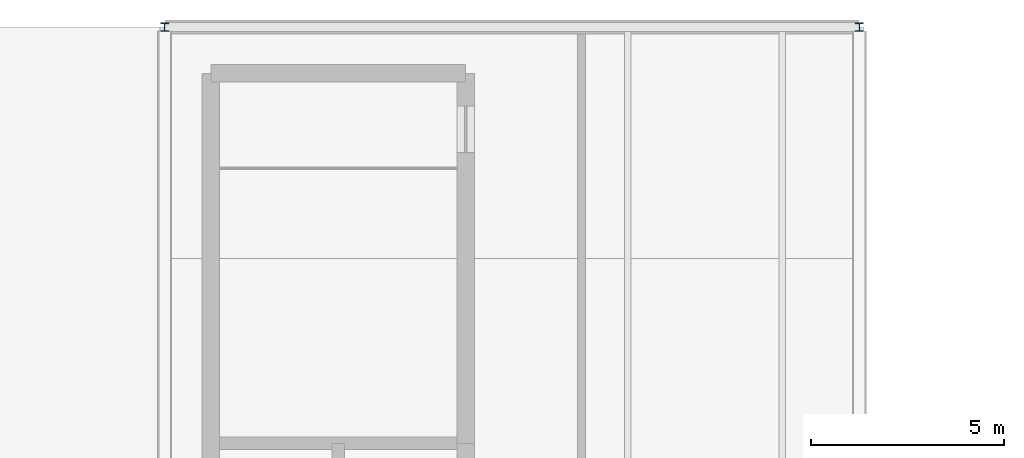
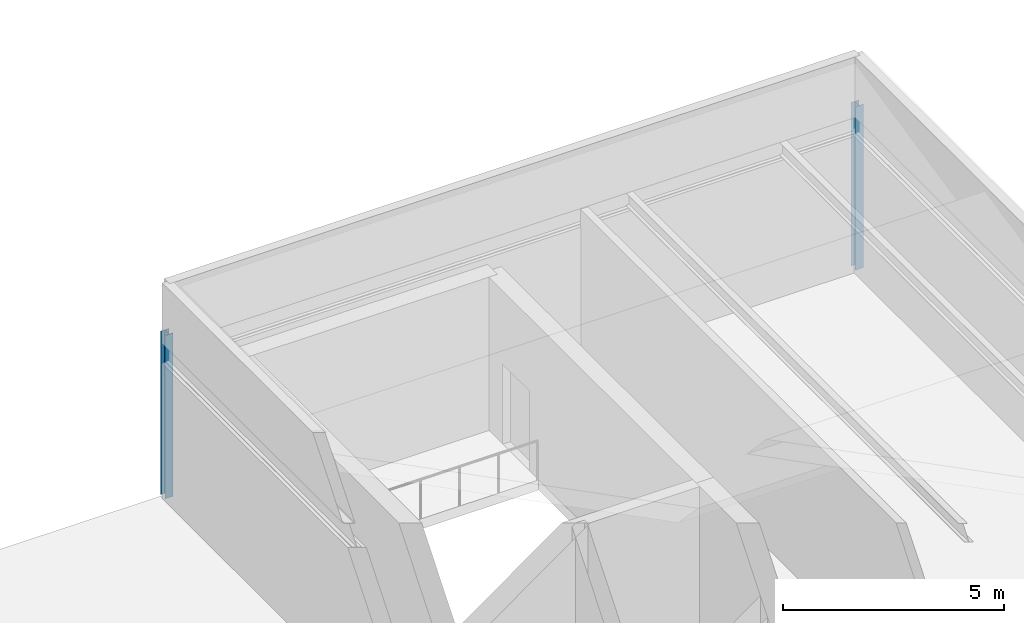
# One storey, part 3 of 13: 2 columns.
"""IFC4 building model written with IfcOpenShell, lengths in metres."""

from ifc_helpers import new_model, si_unit, direction, frame, origin, origin_2d, place, context, subcontext, project, spatial, i_section, extrude, material, material_profile, profile_set, type_object, element, save


model = new_model("IFC4")

# Units and contexts
model_context = context("Model", 3, precision=1e-05, world=origin(), true_north=direction((0.0, 1.0)))
body_context = subcontext(model_context, "Body", "Model", "MODEL_VIEW")
ifc_project = project(units=[si_unit("LENGTHUNIT", "METRE"), si_unit("AREAUNIT", "SQUARE_METRE"), si_unit("VOLUMEUNIT", "CUBIC_METRE"), si_unit("PLANEANGLEUNIT", "RADIAN"), si_unit("MASSUNIT", "GRAM", prefix="KILO")], contexts=[model_context])

# Site, building, storey
site_placement = place(None, origin())
site = spatial("IfcSite", under=ifc_project, at=site_placement, CompositionType="ELEMENT")
building_placement = place(site_placement, origin())
building = spatial("IfcBuilding", under=site, at=building_placement, Name="Kisiwana Market Hall", CompositionType="ELEMENT")
storey_placement = place(building_placement, frame((0.0, 0.0, 69.89990234375)))
storey = spatial("IfcBuildingStorey", under=building, at=storey_placement, Name="L16", CompositionType="ELEMENT", Elevation=69.89990234375)

# Columns
ifc_material = material(Name="Steel S355", Category="steel")
ifc_material_profile = material_profile(ifc_material, i_section(OverallWidth=0.205810546875, OverallDepth=0.209716796875, WebThickness=0.009521484375, FlangeThickness=0.01416015625, FilletRadius=0.01025390625, at=origin_2d()), Name="UC 203x203x60")
ifc_profile_set = profile_set([ifc_material_profile], Name="Steel S355")
column_type = type_object("IfcColumnType", Name="COL-STL-UC060", PredefinedType="COLUMN", material=ifc_profile_set)
for number, where, z_axis, x_axis, name in (
    (1, (9.0, 102.0, 0.0), (0.0, 0.0, 1.0), (1.0, 0.0, 0.0), "Column N/2 (L16) C-1513"),
    (2, (27.0, 102.0, 0.0), (0.0, 0.0, 1.0), (1.0, 0.0, 0.0), "Column N/4 (L16) C-1518"),
):
    element("IfcColumn", number, at=place(storey_placement, frame(where, z_axis=z_axis, x_axis=x_axis)), inside=storey, type_object=column_type, Name=name, PredefinedType="COLUMN", context=body_context, shape_type="SweptSolid", body=[
        extrude(i_section(OverallWidth=0.205810546875, OverallDepth=0.209716796875, WebThickness=0.009521484375, FlangeThickness=0.01416015625, FilletRadius=0.01025390625, at=origin_2d()), origin(), (0.0, 0.0, 1.0), 4.5),
    ])

save(model, "model.ifc")
